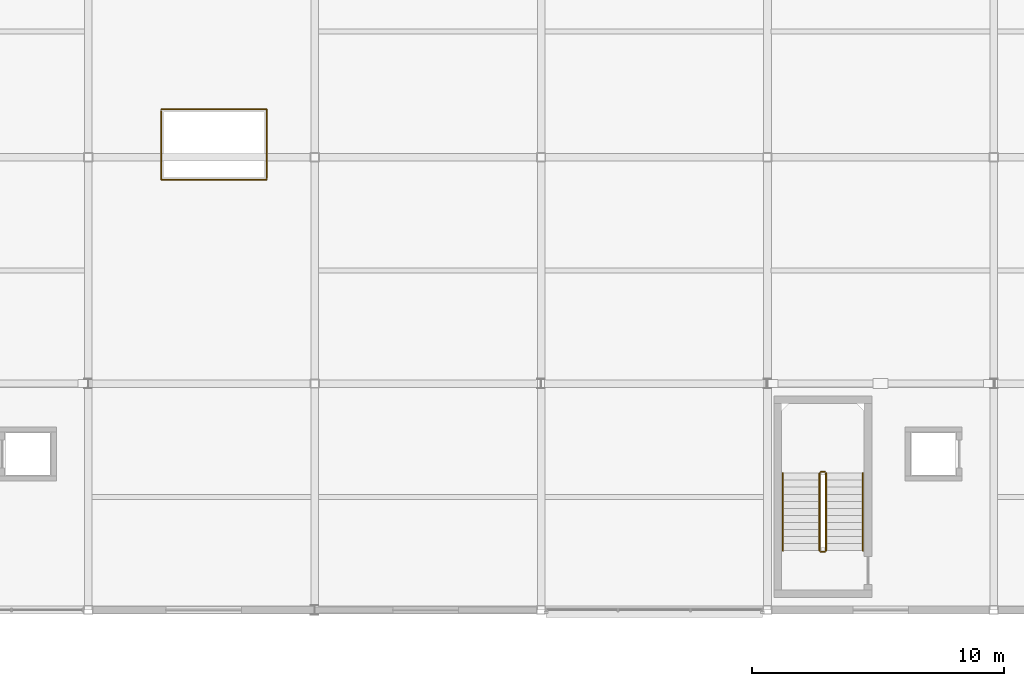
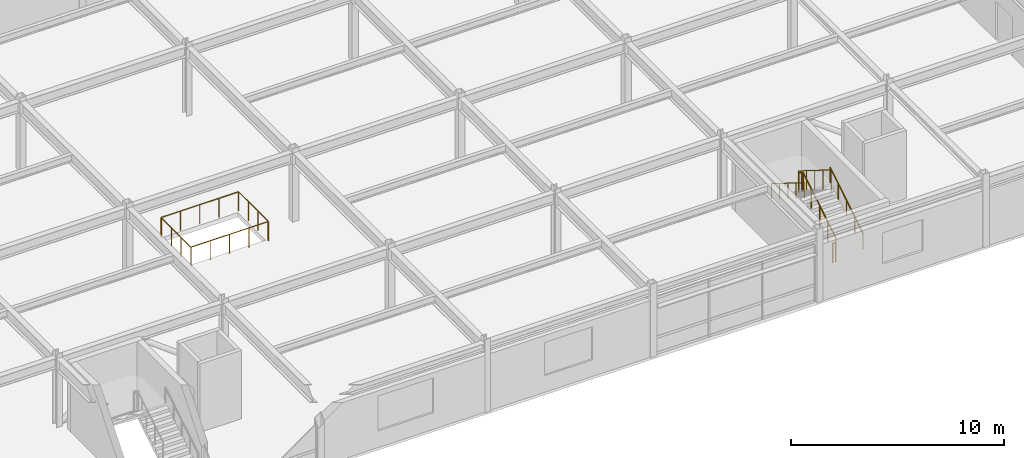
# One storey, part 48 of 53: 8 railings.
"""IFC4 building model written with IfcOpenShell, lengths in metres."""

from ifc_helpers import new_model, si_unit, direction, frame, origin, origin_2d, place, context, subcontext, project, spatial, circle, extrude, material, type_object, element, save


model = new_model("IFC4")

# Units and contexts
model_context = context("Model", 3, precision=1e-05, world=origin(), true_north=direction((0.0, 1.0)))
body_context = subcontext(model_context, "Body", "Model", "MODEL_VIEW")
ifc_project = project(units=[si_unit("LENGTHUNIT", "METRE"), si_unit("AREAUNIT", "SQUARE_METRE"), si_unit("VOLUMEUNIT", "CUBIC_METRE"), si_unit("PLANEANGLEUNIT", "RADIAN"), si_unit("MASSUNIT", "GRAM", prefix="KILO")], contexts=[model_context])

# Site, building, storey
site_placement = place(None, origin())
site = spatial("IfcSite", under=ifc_project, at=site_placement, CompositionType="ELEMENT")
building_placement = place(site_placement, origin())
building = spatial("IfcBuilding", under=site, at=building_placement, Name="Suzunagisa Mobility Hub", CompositionType="ELEMENT")
storey_placement = place(building_placement, frame((0.0, 0.0, 17.699951171875)))
storey = spatial("IfcBuildingStorey", under=building, at=storey_placement, Name="L04", CompositionType="ELEMENT", Elevation=17.699951171875)

# Railings
ifc_material = material(Name="Stainless Steel SUS304", Category="metal")
railing_type_1 = type_object("IfcRailingType", Name="Interior Well Guardrail IGR-01", PredefinedType="GUARDRAIL", material=ifc_material)
railing_1_placement = place(storey_placement, frame((92.330078125, 82.360107421875, 0.175048828125)))
element("IfcRailing", 1, at=railing_1_placement, inside=storey, type_object=railing_type_1, Name="L04 ST-08 stair guard 1", PredefinedType="GUARDRAIL", context=body_context, shape_type="SweptSolid", body=[
    extrude(circle(Radius=0.02392578125, at=origin_2d()), frame((0.0, 0.0, 1.09619140625), z_axis=(0.0, 0.847979421464, 0.530029150871), x_axis=(-1.0, 0.0, 0.0)), (0.0, 0.0, 1.0), 3.632080078125),
    extrude(circle(Radius=0.02099609375, at=origin_2d()), origin(), (0.0, 0.0, 1.0), 1.072021484375),
    extrude(circle(Radius=0.02099609375, at=origin_2d()), frame((0.0, 0.77001953125, 0.481201171875)), (0.0, 0.0, 1.0), 1.072021484375),
    extrude(circle(Radius=0.02099609375, at=origin_2d()), frame((0.0, 1.5400390625, 0.96240234375)), (0.0, 0.0, 1.0), 1.072021484375),
    extrude(circle(Radius=0.02099609375, at=origin_2d()), frame((0.0, 2.309814453125, 1.44384765625)), (0.0, 0.0, 1.0), 1.072021484375),
    extrude(circle(Radius=0.02099609375, at=origin_2d()), frame((0.0, 3.079833984375, 1.925048828125)), (0.0, 0.0, 1.0), 1.072021484375),
])
railing_2_placement = place(storey_placement, frame((92.280029296875, 85.489990234375, 2.10009765625)))
element("IfcRailing", 2, at=railing_2_placement, inside=storey, type_object=railing_type_1, Name="L04 ST-08 stair guard 2", PredefinedType="GUARDRAIL", context=body_context, shape_type="SweptSolid", body=[
    extrude(circle(Radius=0.02392578125, at=origin_2d()), frame((0.0, 0.0, 1.09619140625), z_axis=(-1.0, 0.0, 0.0), x_axis=(0.0, -1.0, 0.0)), (0.0, 0.0, 1.0), 0.159912109375),
    extrude(circle(Radius=0.02099609375, at=origin_2d()), origin(), (0.0, 0.0, 1.0), 1.072021484375),
    extrude(circle(Radius=0.02099609375, at=origin_2d()), frame((-0.159912109375, 0.0, 0.0)), (0.0, 0.0, 1.0), 1.072021484375),
])
railing_3_placement = place(storey_placement, frame((92.070068359375, 85.43994140625, 2.275146484375)))
element("IfcRailing", 3, at=railing_3_placement, inside=storey, type_object=railing_type_1, Name="L04 ST-08 stair guard 3", PredefinedType="GUARDRAIL", context=body_context, shape_type="SweptSolid", body=[
    extrude(circle(Radius=0.02392578125, at=origin_2d()), frame((0.0, 0.0, 1.09619140625), z_axis=(0.0, -0.848009633417, 0.529980812513), x_axis=(1.0, 0.0, 0.0)), (0.0, 0.0, 1.0), 3.6318359375),
    extrude(circle(Radius=0.02099609375, at=origin_2d()), origin(), (0.0, 0.0, 1.0), 1.072021484375),
    extrude(circle(Radius=0.02099609375, at=origin_2d()), frame((0.0, -0.77001953125, 0.481201171875)), (0.0, 0.0, 1.0), 1.072021484375),
    extrude(circle(Radius=0.02099609375, at=origin_2d()), frame((0.0, -1.5400390625, 0.96240234375)), (0.0, 0.0, 1.0), 1.072021484375),
    extrude(circle(Radius=0.02099609375, at=origin_2d()), frame((0.0, -2.309814453125, 1.443603515625)), (0.0, 0.0, 1.0), 1.072021484375),
    extrude(circle(Radius=0.02099609375, at=origin_2d()), frame((0.0, -3.079833984375, 1.9248046875)), (0.0, 0.0, 1.0), 1.072021484375),
])
railing_4_placement = place(storey_placement, frame((92.280029296875, 82.31005859375, 0.0)))
element("IfcRailing", 4, at=railing_4_placement, inside=storey, type_object=railing_type_1, Name="L04 ST-08 stair guard 4", PredefinedType="GUARDRAIL", context=body_context, shape_type="SweptSolid", body=[
    extrude(circle(Radius=0.02392578125, at=origin_2d()), frame((0.0, 0.0, 1.09619140625), z_axis=(-1.0, 0.0, 0.0), x_axis=(0.0, -1.0, 0.0)), (0.0, 0.0, 1.0), 0.159912109375),
    extrude(circle(Radius=0.02099609375, at=origin_2d()), origin(), (0.0, 0.0, 1.0), 1.072021484375),
    extrude(circle(Radius=0.02099609375, at=origin_2d()), frame((-0.159912109375, 0.0, 0.0)), (0.0, 0.0, 1.0), 1.072021484375),
])
railing_5_placement = place(storey_placement, frame((65.89990234375, 99.840087890625, 0.0)))
element("IfcRailing", 5, at=railing_5_placement, inside=storey, type_object=railing_type_1, Name="L04 Smoke-Relief Lightwell Guardrail LG-65S", PredefinedType="GUARDRAIL", context=body_context, shape_type="SweptSolid", body=[
    extrude(circle(Radius=0.02392578125, at=origin_2d()), frame((0.0, 0.0, 1.09619140625), z_axis=(0.0, -1.0, 0.0), x_axis=(1.0, 0.0, 0.0)), (0.0, 0.0, 1.0), 2.739990234375),
    extrude(circle(Radius=0.02392578125, at=origin_2d()), frame((0.0, -2.739990234375, 1.09619140625), z_axis=(1.0, 0.0, 0.0), x_axis=(0.0, 1.0, 0.0)), (0.0, 0.0, 1.0), 4.2001953125),
    extrude(circle(Radius=0.02099609375, at=origin_2d()), origin(), (0.0, 0.0, 1.0), 1.072021484375),
    extrude(circle(Radius=0.02099609375, at=origin_2d()), frame((0.0, -0.913330078125, 0.0)), (0.0, 0.0, 1.0), 1.072021484375),
    extrude(circle(Radius=0.02099609375, at=origin_2d()), frame((0.0, -1.82666015625, 0.0)), (0.0, 0.0, 1.0), 1.072021484375),
    extrude(circle(Radius=0.02099609375, at=origin_2d()), frame((0.0, -2.739990234375, 0.0)), (0.0, 0.0, 1.0), 1.072021484375),
    extrude(circle(Radius=0.02099609375, at=origin_2d()), frame((1.050048828125, -2.739990234375, 0.0)), (0.0, 0.0, 1.0), 1.072021484375),
    extrude(circle(Radius=0.02099609375, at=origin_2d()), frame((2.10009765625, -2.739990234375, 0.0)), (0.0, 0.0, 1.0), 1.072021484375),
    extrude(circle(Radius=0.02099609375, at=origin_2d()), frame((3.150146484375, -2.739990234375, 0.0)), (0.0, 0.0, 1.0), 1.072021484375),
    extrude(circle(Radius=0.02099609375, at=origin_2d()), frame((4.2001953125, -2.739990234375, 0.0)), (0.0, 0.0, 1.0), 1.072021484375),
])
railing_6_placement = place(storey_placement, frame((70.10009765625, 97.159912109375, 0.0)))
element("IfcRailing", 6, at=railing_6_placement, inside=storey, type_object=railing_type_1, Name="L04 Smoke-Relief Lightwell Guardrail LG-66N", PredefinedType="GUARDRAIL", context=body_context, shape_type="SweptSolid", body=[
    extrude(circle(Radius=0.02392578125, at=origin_2d()), frame((0.0, 0.0, 1.09619140625), z_axis=(0.0, 1.0, 0.0), x_axis=(-1.0, 0.0, 0.0)), (0.0, 0.0, 1.0), 2.739990234375),
    extrude(circle(Radius=0.02392578125, at=origin_2d()), frame((0.0, 2.739990234375, 1.09619140625), z_axis=(-1.0, 0.0, 0.0), x_axis=(0.0, -1.0, 0.0)), (0.0, 0.0, 1.0), 4.2001953125),
    extrude(circle(Radius=0.02099609375, at=origin_2d()), origin(), (0.0, 0.0, 1.0), 1.072021484375),
    extrude(circle(Radius=0.02099609375, at=origin_2d()), frame((0.0, 0.913330078125, 0.0)), (0.0, 0.0, 1.0), 1.072021484375),
    extrude(circle(Radius=0.02099609375, at=origin_2d()), frame((0.0, 1.82666015625, 0.0)), (0.0, 0.0, 1.0), 1.072021484375),
    extrude(circle(Radius=0.02099609375, at=origin_2d()), frame((0.0, 2.739990234375, 0.0)), (0.0, 0.0, 1.0), 1.072021484375),
    extrude(circle(Radius=0.02099609375, at=origin_2d()), frame((-1.050048828125, 2.739990234375, 0.0)), (0.0, 0.0, 1.0), 1.072021484375),
    extrude(circle(Radius=0.02099609375, at=origin_2d()), frame((-2.10009765625, 2.739990234375, 0.0)), (0.0, 0.0, 1.0), 1.072021484375),
    extrude(circle(Radius=0.02099609375, at=origin_2d()), frame((-3.150146484375, 2.739990234375, 0.0)), (0.0, 0.0, 1.0), 1.072021484375),
    extrude(circle(Radius=0.02099609375, at=origin_2d()), frame((-4.2001953125, 2.739990234375, 0.0)), (0.0, 0.0, 1.0), 1.072021484375),
])
railing_type_2 = type_object("IfcRailingType", Name="Tubular Stainless Stair Handrail IHR-01", PredefinedType="HANDRAIL", material=ifc_material)
railing_7_placement = place(storey_placement, frame((93.7900390625, 82.360107421875, 0.175048828125)))
element("IfcRailing", 7, at=railing_7_placement, inside=storey, type_object=railing_type_2, Name="L04 ST-08 stair handrail 1", PredefinedType="HANDRAIL", context=body_context, shape_type="SweptSolid", body=[
    extrude(circle(Radius=0.02392578125, at=origin_2d()), frame((0.0, 0.0, 0.8759765625), z_axis=(0.0, 0.847979421464, 0.530029150871), x_axis=(-1.0, 0.0, 0.0)), (0.0, 0.0, 1.0), 3.632080078125),
    extrude(circle(Radius=0.02099609375, at=origin_2d()), origin(), (0.0, 0.0, 1.0), 0.851806640625),
    extrude(circle(Radius=0.02099609375, at=origin_2d()), frame((0.0, 0.77001953125, 0.481201171875)), (0.0, 0.0, 1.0), 0.851806640625),
    extrude(circle(Radius=0.02099609375, at=origin_2d()), frame((0.0, 1.5400390625, 0.96240234375)), (0.0, 0.0, 1.0), 0.851806640625),
    extrude(circle(Radius=0.02099609375, at=origin_2d()), frame((0.0, 2.309814453125, 1.44384765625)), (0.0, 0.0, 1.0), 0.851806640625),
    extrude(circle(Radius=0.02099609375, at=origin_2d()), frame((0.0, 3.079833984375, 1.925048828125)), (0.0, 0.0, 1.0), 0.851806640625),
])
railing_8_placement = place(storey_placement, frame((90.610107421875, 85.43994140625, 2.275146484375)))
element("IfcRailing", 8, at=railing_8_placement, inside=storey, type_object=railing_type_2, Name="L04 ST-08 stair handrail 2", PredefinedType="HANDRAIL", context=body_context, shape_type="SweptSolid", body=[
    extrude(circle(Radius=0.02392578125, at=origin_2d()), frame((0.0, 0.0, 0.8759765625), z_axis=(0.0, -0.848009633417, 0.529980812513), x_axis=(1.0, 0.0, 0.0)), (0.0, 0.0, 1.0), 3.6318359375),
    extrude(circle(Radius=0.02099609375, at=origin_2d()), origin(), (0.0, 0.0, 1.0), 0.851806640625),
    extrude(circle(Radius=0.02099609375, at=origin_2d()), frame((0.0, -0.77001953125, 0.481201171875)), (0.0, 0.0, 1.0), 0.851806640625),
    extrude(circle(Radius=0.02099609375, at=origin_2d()), frame((0.0, -1.5400390625, 0.96240234375)), (0.0, 0.0, 1.0), 0.851806640625),
    extrude(circle(Radius=0.02099609375, at=origin_2d()), frame((0.0, -2.309814453125, 1.443603515625)), (0.0, 0.0, 1.0), 0.851806640625),
    extrude(circle(Radius=0.02099609375, at=origin_2d()), frame((0.0, -3.079833984375, 1.9248046875)), (0.0, 0.0, 1.0), 0.851806640625),
])

save(model, "model.ifc")
